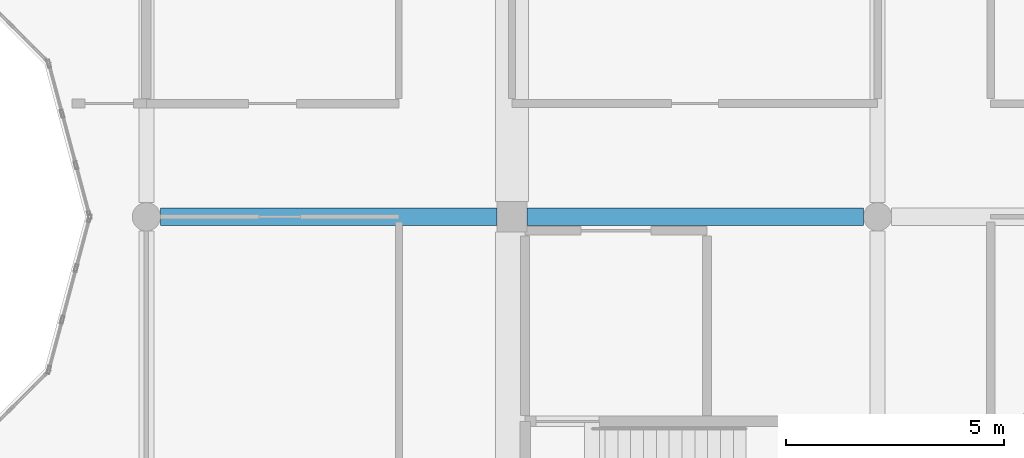
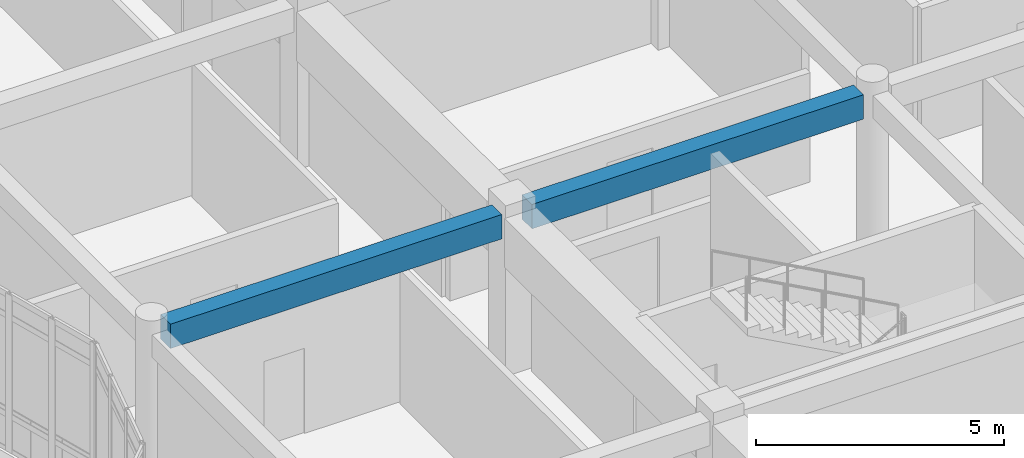
# One storey, part 38 of 119: 2 beams.
"""IFC4 building model written with IfcOpenShell, lengths in metres."""

from ifc_helpers import new_model, si_unit, direction, frame, origin, origin_2d, place, context, subcontext, project, spatial, rectangle, extrude, material, material_profile, profile_set, type_object, element, save


model = new_model("IFC4")

# Units and contexts
model_context = context("Model", 3, precision=1e-05, world=origin(), true_north=direction((0.0, 1.0)))
body_context = subcontext(model_context, "Body", "Model", "MODEL_VIEW")
ifc_project = project(units=[si_unit("LENGTHUNIT", "METRE"), si_unit("AREAUNIT", "SQUARE_METRE"), si_unit("VOLUMEUNIT", "CUBIC_METRE"), si_unit("PLANEANGLEUNIT", "RADIAN"), si_unit("MASSUNIT", "GRAM", prefix="KILO")], contexts=[model_context])

# Site, building, storey
site_placement = place(None, origin())
site = spatial("IfcSite", under=ifc_project, at=site_placement, CompositionType="ELEMENT")
building_placement = place(site_placement, origin())
building = spatial("IfcBuilding", under=site, at=building_placement, Name="Bramfleet General Hospital", CompositionType="ELEMENT")
storey_placement = place(building_placement, frame((0.0, 0.0, 14.39990234375)))
storey = spatial("IfcBuildingStorey", under=building, at=storey_placement, Name="L03", CompositionType="ELEMENT", Elevation=14.39990234375)

# Beams
ifc_material = material(Name="Concrete C35/45", Category="concrete")
ifc_material_profile = material_profile(ifc_material, rectangle(XDim=0.39990234375, YDim=0.60009765625, at=origin_2d()), Name="RC BM 600x400")
ifc_profile_set = profile_set([ifc_material_profile], Name="Concrete C35/45")
beam_type = type_object("IfcBeamType", Name="BM-RC600", PredefinedType="BEAM", material=ifc_profile_set)
beam_1_placement = place(storey_placement, frame((92.72509765625, 75.60009765625, 3.60009765625), z_axis=(1.0, 0.0, 0.0), x_axis=(0.0, 1.0, 0.0)))
element("IfcBeam", 1, at=beam_1_placement, inside=storey, type_object=beam_type, Name="L03 Grid Beam X 11-09", PredefinedType="BEAM", context=body_context, shape_type="SweptSolid", body=[
    extrude(rectangle(XDim=0.39990234375, YDim=0.60009765625, at=origin_2d()), origin(), (0.0, 0.0, 1.0), 7.724853515625),
])
beam_2_placement = place(storey_placement, frame((101.14990234375, 75.60009765625, 3.60009765625), z_axis=(1.0, 0.0, 0.0), x_axis=(0.0, 1.0, 0.0)))
element("IfcBeam", 2, at=beam_2_placement, inside=storey, type_object=beam_type, Name="L03 Grid Beam X 12-09", PredefinedType="BEAM", context=body_context, shape_type="SweptSolid", body=[
    extrude(rectangle(XDim=0.39990234375, YDim=0.60009765625, at=origin_2d()), origin(), (0.0, 0.0, 1.0), 7.72509765625),
])

save(model, "model.ifc")
